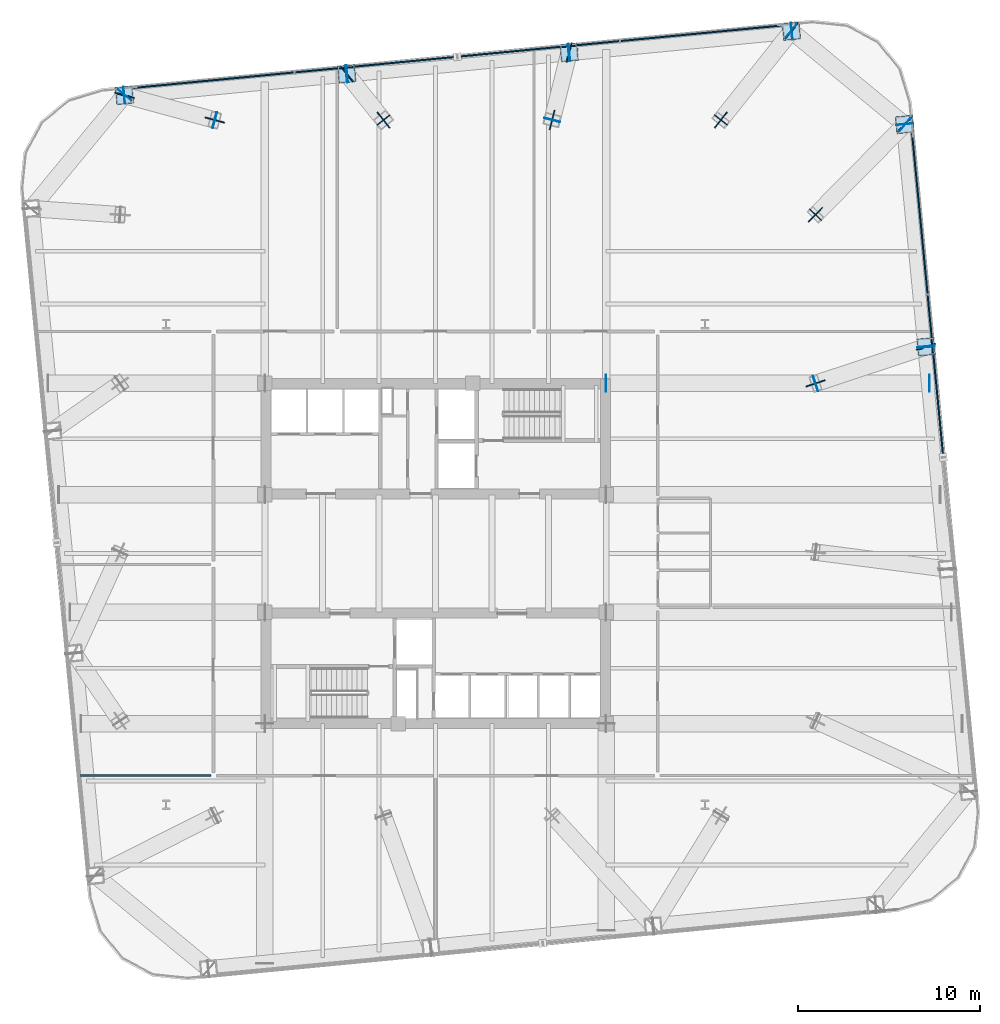
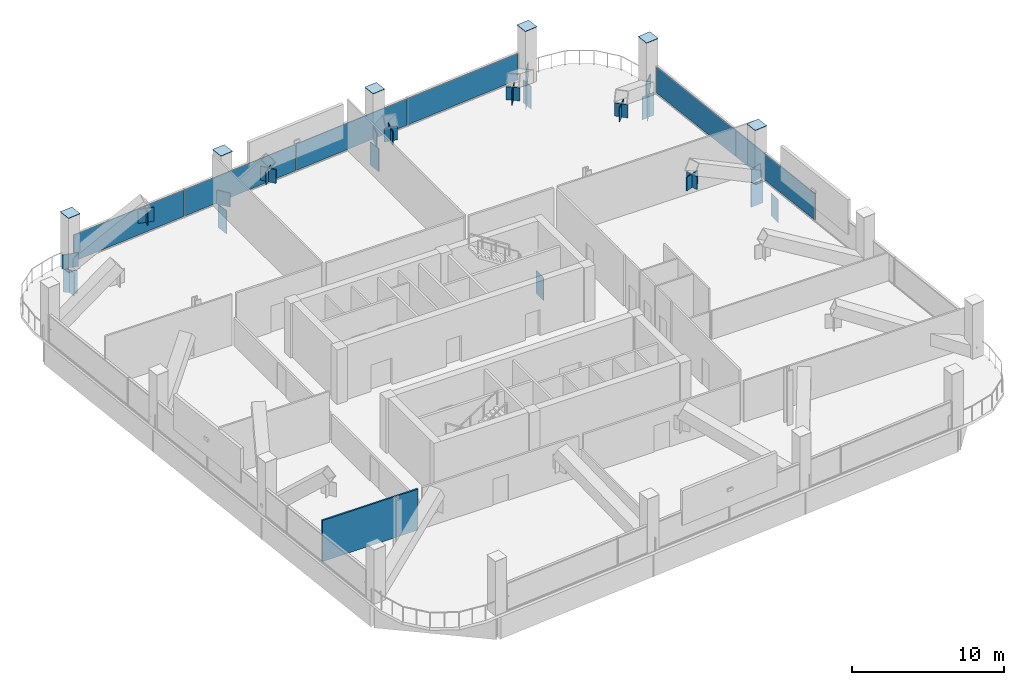
# One storey, part 24 of 30: 44 plates, 1 wall, 2 elements without a shape of their own.
"""IFC4 building model written with IfcOpenShell, lengths in metres."""

from ifc_helpers import new_model, si_unit, direction, frame, frame_2d, origin, origin_2d, place, context, subcontext, project, spatial, rectangle, extrude, material, layer, layer_set, type_object, element, aggregate, save


model = new_model("IFC4")

# Units and contexts
model_context = context("Model", 3, precision=1e-05, world=origin(), true_north=direction((0.0, 1.0)))
body_context = subcontext(model_context, "Body", "Model", "MODEL_VIEW")
ifc_project = project(units=[si_unit("LENGTHUNIT", "METRE"), si_unit("AREAUNIT", "SQUARE_METRE"), si_unit("VOLUMEUNIT", "CUBIC_METRE"), si_unit("PLANEANGLEUNIT", "RADIAN"), si_unit("MASSUNIT", "GRAM", prefix="KILO")], contexts=[model_context])

# Site, building, storey
site_placement = place(None, origin())
site = spatial("IfcSite", under=ifc_project, at=site_placement, CompositionType="ELEMENT")
building_placement = place(site_placement, origin())
building = spatial("IfcBuilding", under=site, at=building_placement, Name="Qhalaya Broadcast Tower", CompositionType="ELEMENT")
storey_placement = place(building_placement, frame((0.0, 0.0, 96.89990234375)))
storey = spatial("IfcBuildingStorey", under=building, at=storey_placement, Name="L28", CompositionType="ELEMENT", Elevation=96.89990234375)

# Plates
ifc_material_1 = material(Name="Structural Steel ASTM A572 Grade 50", Category="steel")
ifc_layer_1 = layer(ifc_material_1, 0.054931640625, Name="Structural Steel ASTM A572 Grade 50")
ifc_layer_set_1 = layer_set([ifc_layer_1], Name="Structural Steel ASTM A572 Grade 50")
plate_type_1 = type_object("IfcPlateType", Name="Exoskeleton Diamond Node Gusset Plate NP-01", PredefinedType="USERDEFINED", material=ifc_layer_set_1)
for number, where, z_axis, x_axis, name in (
    (1, (26.941162109375, 11.955078125, 0.0), (0.0, 0.0, 1.0), (-0.949244473504, -0.314539233676, 0.0), "L28 Strut Foot Gusset Plate 07"),
    (2, (20.8701171875, 9.943359375, 2.7099609375), (0.0, 0.0, 1.0), (-0.949244473504, -0.314539233676, 0.0), "L28 Strut Head Gusset Plate 07"),
    (3, (25.765380859375, 24.165283203125, 0.0), (0.0, 0.0, 1.0), (-0.702811394035, -0.711376232675, 0.0), "L28 Strut Foot Gusset Plate 08"),
    (4, (20.8701171875, 19.2099609375, 2.7099609375), (0.0, 0.0, 1.0), (-0.702811394035, -0.711376232675, 0.0), "L28 Strut Head Gusset Plate 08"),
    (5, (19.54541015625, 29.29248046875, 0.0), (0.0, 0.0, 1.0), (-0.62169475011, -0.783259623423, 0.0), "L28 Strut Foot Gusset Plate 09"),
    (6, (15.669921875, 24.409912109375, 2.7099609375), (0.0, 0.0, 1.0), (-0.62169475011, -0.783259623423, 0.0), "L28 Strut Head Gusset Plate 09"),
    (7, (7.335205078125, 28.116943359375, 0.0), (0.0, 0.0, 1.0), (-0.243818135961, -0.969820971405, 0.0), "L28 Strut Foot Gusset Plate 10"),
    (8, (6.4033203125, 24.409912109375, 2.7099609375), (0.0, 0.0, 1.0), (-0.243818135961, -0.969820971405, 0.0), "L28 Strut Head Gusset Plate 10"),
    (9, (-4.875, 26.941162109375, 0.0), (0.0, 0.0, 1.0), (0.622186763896, -0.782868846508, 0.0), "L28 Strut Foot Gusset Plate 11"),
    (10, (-2.86328125, 24.409912109375, 2.7099609375), (0.0, 0.0, 1.0), (0.622186763896, -0.782868846508, 0.0), "L28 Strut Head Gusset Plate 11"),
    (11, (-17.085205078125, 25.765380859375, 0.0), (0.0, 0.0, 1.0), (0.964562023764, -0.263856215222, 0.0), "L28 Strut Foot Gusset Plate 12"),
    (12, (-12.1298828125, 24.409912109375, 2.7099609375), (0.0, 0.0, 1.0), (0.964562023764, -0.263856215222, 0.0), "L28 Strut Head Gusset Plate 12"),
):
    element("IfcPlate", number, at=place(storey_placement, frame(where, z_axis=z_axis, x_axis=x_axis)), inside=storey, type_object=plate_type_1, Name=name, ObjectType="GUSSET_PLATE", PredefinedType="USERDEFINED", context=body_context, shape_type="SweptSolid", body=[
        extrude(rectangle(XDim=1.10009765625, YDim=0.06005859375, at=origin_2d()), origin(), (0.0, 0.0, 1.0), 1.10009765625),
    ])
ifc_layer_2 = layer(ifc_material_1, 0.4599609375, Name="Structural Steel ASTM A572 Grade 50")
ifc_layer_set_2 = layer_set([ifc_layer_2], Name="Structural Steel ASTM A572 Grade 50")
plate_type_2 = type_object("IfcPlateType", Name="Hollow Box Member End Cap Plate CP-01", PredefinedType="USERDEFINED", material=ifc_layer_set_2)
for number, where, z_axis, x_axis, name in (
    (13, (26.939697265625, 11.970947265625, -2.0400390625), (0.0, 0.0, 1.0), (-0.995396198367, -0.09584575252, 0.0), "L28 Hollow Girder End Cap L28-SPR-06-B"),
    (14, (26.942626953125, 11.939208984375, -2.0400390625), (0.0, 0.0, 1.0), (-0.995396198367, -0.09584575252, 0.0), "L28 Hollow Girder End Cap L28-SPR-07-A"),
    (15, (25.763916015625, 24.18115234375, -2.0400390625), (0.0, 0.0, 1.0), (-0.995396198367, -0.09584575252, 0.0), "L28 Hollow Girder End Cap L28-SPR-07-B"),
    (16, (25.77783203125, 24.155029296875, -2.0400390625), (0.0, 0.0, 1.0), (-0.636078220278, -0.771624583388, 0.0), "L28 Hollow Girder End Cap L28-SPR-08-A"),
    (17, (19.533203125, 29.302734375, -2.0400390625), (0.0, 0.0, 1.0), (-0.636078220278, -0.771624583388, 0.0), "L28 Hollow Girder End Cap L28-SPR-08-B"),
    (18, (19.561279296875, 29.294189453125, -2.0400390625), (0.0, 0.0, 1.0), (0.09584575252, -0.995396198367, 0.0), "L28 Hollow Girder End Cap L28-SPR-09-A"),
    (19, (7.3193359375, 28.115478515625, -2.0400390625), (0.0, 0.0, 1.0), (0.09584575252, -0.995396198367, 0.0), "L28 Hollow Girder End Cap L28-SPR-09-B"),
    (20, (7.35107421875, 28.118408203125, -2.0400390625), (0.0, 0.0, 1.0), (0.09584575252, -0.995396198367, 0.0), "L28 Hollow Girder End Cap L28-SPR-10-A"),
    (21, (-4.890869140625, 26.939697265625, -2.0400390625), (0.0, 0.0, 1.0), (0.09584575252, -0.995396198367, 0.0), "L28 Hollow Girder End Cap L28-SPR-10-B"),
    (22, (-4.859130859375, 26.942626953125, -2.0400390625), (0.0, 0.0, 1.0), (0.09584575252, -0.995396198367, 0.0), "L28 Hollow Girder End Cap L28-SPR-11-A"),
    (23, (-17.10107421875, 25.763916015625, -2.0400390625), (0.0, 0.0, 1.0), (0.09584575252, -0.995396198367, 0.0), "L28 Hollow Girder End Cap L28-SPR-11-B"),
    (24, (-17.074951171875, 25.77783203125, -2.0400390625), (0.0, 0.0, 1.0), (0.771624583388, -0.636078220278, 0.0), "L28 Hollow Girder End Cap L28-SPR-12-A"),
    (25, (9.35888671875, 9.949951171875, -2.0400390625), (0.0, 0.0, 1.0), (0.0, 1.0, 0.0), "L28 Hollow Girder End Cap L28-PGYE4-1-A"),
    (26, (27.130126953125, 9.949951171875, -2.0400390625), (0.0, 0.0, 1.0), (0.0, 1.0, 0.0), "L28 Hollow Girder End Cap L28-PGYE4-1-B"),
):
    element("IfcPlate", number, at=place(storey_placement, frame(where, z_axis=z_axis, x_axis=x_axis)), inside=storey, type_object=plate_type_2, Name=name, ObjectType="COVER_PLATE", PredefinedType="USERDEFINED", context=body_context, shape_type="SweptSolid", body=[
        extrude(rectangle(XDim=0.93994140625, YDim=0.031982421875, at=origin_2d()), origin(), (0.0, 0.0, 1.0), 1.840087890625),
    ])
for number, where, z_axis, x_axis, name in (
    (27, (26.941162109375, 11.955078125, 4.35009765625), (0.0, 0.0, 1.0), (-0.09584575252, 0.995396198367, 0.0), "L28 Hollow Box Column Top Cap Plate COL-EX07"),
    (28, (25.765380859375, 24.165283203125, 4.35009765625), (0.0, 0.0, 1.0), (-0.09584575252, 0.995396198367, 0.0), "L28 Hollow Box Column Top Cap Plate COL-EX08"),
    (29, (19.54541015625, 29.29248046875, 4.35009765625), (0.0, 0.0, 1.0), (0.995396198367, 0.09584575252, 0.0), "L28 Hollow Box Column Top Cap Plate COL-EX09"),
    (30, (7.335205078125, 28.116943359375, 4.35009765625), (0.0, 0.0, 1.0), (0.995396198367, 0.09584575252, 0.0), "L28 Hollow Box Column Top Cap Plate COL-EX10"),
    (31, (-4.875, 26.941162109375, 4.35009765625), (0.0, 0.0, 1.0), (0.995396198367, 0.09584575252, 0.0), "L28 Hollow Box Column Top Cap Plate COL-EX11"),
    (32, (-17.085205078125, 25.765380859375, 4.35009765625), (0.0, 0.0, 1.0), (0.995396198367, 0.09584575252, 0.0), "L28 Hollow Box Column Top Cap Plate COL-EX12"),
):
    element("IfcPlate", number, at=place(storey_placement, frame(where, z_axis=z_axis, x_axis=x_axis)), inside=storey, type_object=plate_type_2, Name=name, ObjectType="COVER_PLATE", PredefinedType="USERDEFINED", context=body_context, shape_type="SweptSolid", body=[
        extrude(rectangle(XDim=0.93994140625, YDim=0.93994140625, at=origin_2d()), origin(), (0.0, 0.0, 1.0), 0.031982421875),
    ])

# Curtain wall, plates
ifc_material_2 = material(Name="Fired Architectural Terracotta", Category="masonry")
ifc_layer_3 = layer(ifc_material_2, 0.219970703125, Name="Fired Architectural Terracotta")
ifc_layer_set_3 = layer_set([ifc_layer_3], Name="Fired Architectural Terracotta")
curtain_wall_type = type_object("IfcCurtainWallType", Name="Block-Cap Unitised Terracotta Spandrel Wall CW-07", PredefinedType="NOTDEFINED", material=ifc_layer_set_3)
curtain_wall_1_placement = place(storey_placement, origin())
curtain_wall_1 = element("IfcCurtainWall", 33, at=curtain_wall_1_placement, inside=storey, type_object=curtain_wall_type, Name="L28 Unitised Curtain Wall L28-CW-E", PredefinedType="NOTDEFINED")
ifc_layer_4 = layer(ifc_material_2, 0.080078125, Name="Fired Architectural Terracotta")
ifc_layer_set_4 = layer_set([ifc_layer_4], Name="Fired Architectural Terracotta")
plate_type_3 = type_object("IfcPlateType", Name="Insulated Terracotta Spandrel Panel TSP-07", PredefinedType="CURTAIN_PANEL", material=ifc_layer_set_4)
plate_1_placement = place(storey_placement, frame((26.597900390625, 19.275146484375, 0.074951171875), z_axis=(0.0, 0.0, 1.0), x_axis=(0.095846812756, -0.995396096278, 0.0)))
plate_1 = element("IfcPlate", 34, at=plate_1_placement, type_object=plate_type_3, Name="CW-07 panel 1.1", PredefinedType="CURTAIN_PANEL", context=body_context, shape_type="SweptSolid", body=[
    extrude(rectangle(XDim=8.868408203125, YDim=0.080078125, at=origin_2d()), origin(), (0.0, 0.0, 1.0), 2.10009765625),
])
plate_2_placement = place(storey_placement, frame((27.45703125, 10.354248046875, 0.074951171875), z_axis=(0.0, 0.0, 1.0), x_axis=(0.095846812756, -0.995396096278, 0.0)))
plate_2 = element("IfcPlate", 35, at=plate_2_placement, type_object=plate_type_3, Name="CW-07 panel 2.1", PredefinedType="CURTAIN_PANEL", context=body_context, shape_type="SweptSolid", body=[
    extrude(rectangle(XDim=8.906005859375, YDim=0.080078125, at=origin_2d()), origin(), (0.0, 0.0, 1.0), 2.10009765625),
])
aggregate(curtain_wall_1, [plate_1, plate_2])

curtain_wall_2_placement = place(storey_placement, origin())
curtain_wall_2 = element("IfcCurtainWall", 36, at=curtain_wall_2_placement, inside=storey, type_object=curtain_wall_type, Name="L28 Unitised Curtain Wall L28-CW-N", PredefinedType="NOTDEFINED")
plate_3_placement = place(storey_placement, frame((-12.1953125, 26.597900390625, 0.074951171875), z_axis=(0.0, 0.0, 1.0), x_axis=(0.995396096278, 0.095846812756, 0.0)))
plate_3 = element("IfcPlate", 37, at=plate_3_placement, type_object=plate_type_3, Name="CW-07 panel 1.1", PredefinedType="CURTAIN_PANEL", context=body_context, shape_type="SweptSolid", body=[
    extrude(rectangle(XDim=8.868408203125, YDim=0.080078125, at=origin_2d()), origin(), (0.0, 0.0, 1.0), 2.10009765625),
])
plate_4_placement = place(storey_placement, frame((-3.274169921875, 27.45703125, 0.074951171875), z_axis=(0.0, 0.0, 1.0), x_axis=(0.995396096278, 0.095846812756, 0.0)))
plate_4 = element("IfcPlate", 38, at=plate_4_placement, type_object=plate_type_3, Name="CW-07 panel 2.1", PredefinedType="CURTAIN_PANEL", context=body_context, shape_type="SweptSolid", body=[
    extrude(rectangle(XDim=8.906005859375, YDim=0.080078125, at=origin_2d()), origin(), (0.0, 0.0, 1.0), 2.10009765625),
])
plate_5_placement = place(storey_placement, frame((5.66552734375, 28.31787109375, 0.074951171875), z_axis=(0.0, 0.0, 1.0), x_axis=(0.995396096278, 0.095846812756, 0.0)))
plate_5 = element("IfcPlate", 39, at=plate_5_placement, type_object=plate_type_3, Name="CW-07 panel 3.1", PredefinedType="CURTAIN_PANEL", context=body_context, shape_type="SweptSolid", body=[
    extrude(rectangle(XDim=8.906005859375, YDim=0.080078125, at=origin_2d()), origin(), (0.0, 0.0, 1.0), 2.10009765625),
])
plate_6_placement = place(storey_placement, frame((14.58642578125, 29.1767578125, 0.074951171875), z_axis=(0.0, 0.0, 1.0), x_axis=(0.995396096278, 0.095846812756, 0.0)))
plate_6 = element("IfcPlate", 40, at=plate_6_placement, type_object=plate_type_3, Name="CW-07 panel 4.1", PredefinedType="CURTAIN_PANEL", context=body_context, shape_type="SweptSolid", body=[
    extrude(rectangle(XDim=8.868408203125, YDim=0.080078125, at=origin_2d()), origin(), (0.0, 0.0, 1.0), 2.10009765625),
])
aggregate(curtain_wall_2, [plate_3, plate_4, plate_5, plate_6])

# Plates
ifc_layer_5 = layer(ifc_material_1, 0.044921875, Name="Structural Steel ASTM A572 Grade 50")
ifc_layer_set_5 = layer_set([ifc_layer_5], Name="Structural Steel ASTM A572 Grade 50")
plate_type_4 = type_object("IfcPlateType", Name="Transfer Girder Web Stiffener Plate WS-01", PredefinedType="USERDEFINED", material=ifc_layer_set_5)
for number, where, z_axis, x_axis, name in (
    (41, (20.8701171875, 9.943359375, 2.73486328125), (0.0, 0.0, 1.0), (0.314539233676, -0.949244473504, 0.0), "L28 Strut Head Cross Diaphragm Plate 07"),
    (42, (20.8701171875, 19.2099609375, 2.73486328125), (0.0, 0.0, 1.0), (0.711376232675, -0.702811394035, 0.0), "L28 Strut Head Cross Diaphragm Plate 08"),
    (43, (15.669921875, 24.409912109375, 2.73486328125), (0.0, 0.0, 1.0), (0.783259623423, -0.62169475011, 0.0), "L28 Strut Head Cross Diaphragm Plate 09"),
    (44, (6.4033203125, 24.409912109375, 2.73486328125), (0.0, 0.0, 1.0), (0.969820971405, -0.243818135961, 0.0), "L28 Strut Head Cross Diaphragm Plate 10"),
    (45, (-2.86328125, 24.409912109375, 2.73486328125), (0.0, 0.0, 1.0), (0.782868846508, 0.622186763896, 0.0), "L28 Strut Head Cross Diaphragm Plate 11"),
    (46, (-12.1298828125, 24.409912109375, 2.73486328125), (0.0, 0.0, 1.0), (0.263856215222, 0.964562023764, 0.0), "L28 Strut Head Cross Diaphragm Plate 12"),
):
    element("IfcPlate", number, at=place(storey_placement, frame(where, z_axis=z_axis, x_axis=x_axis)), inside=storey, type_object=plate_type_4, Name=name, ObjectType="STIFFENER_PLATE", PredefinedType="USERDEFINED", context=body_context, shape_type="SweptSolid", body=[
        extrude(rectangle(XDim=0.89990234375, YDim=0.044921875, at=origin_2d()), origin(), (0.0, 0.0, 1.0), 1.050048828125),
    ])

# Wall
ifc_material_3 = material(Name="Gypsum Acoustic Partition")
ifc_layer_6 = layer(ifc_material_3, 0.1201171875, Name="Gypsum Acoustic Partition")
ifc_layer_set_6 = layer_set([ifc_layer_6], Name="Gypsum Acoustic Partition")
wall_type = type_object("IfcWallType", Name="Office, Booth & Sanitary Partition 120", PredefinedType="PARTITIONING", material=ifc_layer_set_6)
wall_placement = place(storey_placement, frame((-19.595458984375, -11.60009765625, 0.0), z_axis=(0.0, 0.0, 1.0), x_axis=(1.0, 0.0, 0.0)))
element("IfcWall", 47, at=wall_placement, inside=storey, type_object=wall_type, Name="L28 Partition Wall W-BNDW2", PredefinedType="PARTITIONING", context=body_context, shape_type="SweptSolid", body=[
    extrude(rectangle(XDim=7.25537109375, YDim=0.1201171875, at=frame_2d((3.627685546875, 0.0))), origin(), (0.0, 0.0, 1.0), 3.2880859375),
])

save(model, "model.ifc")
